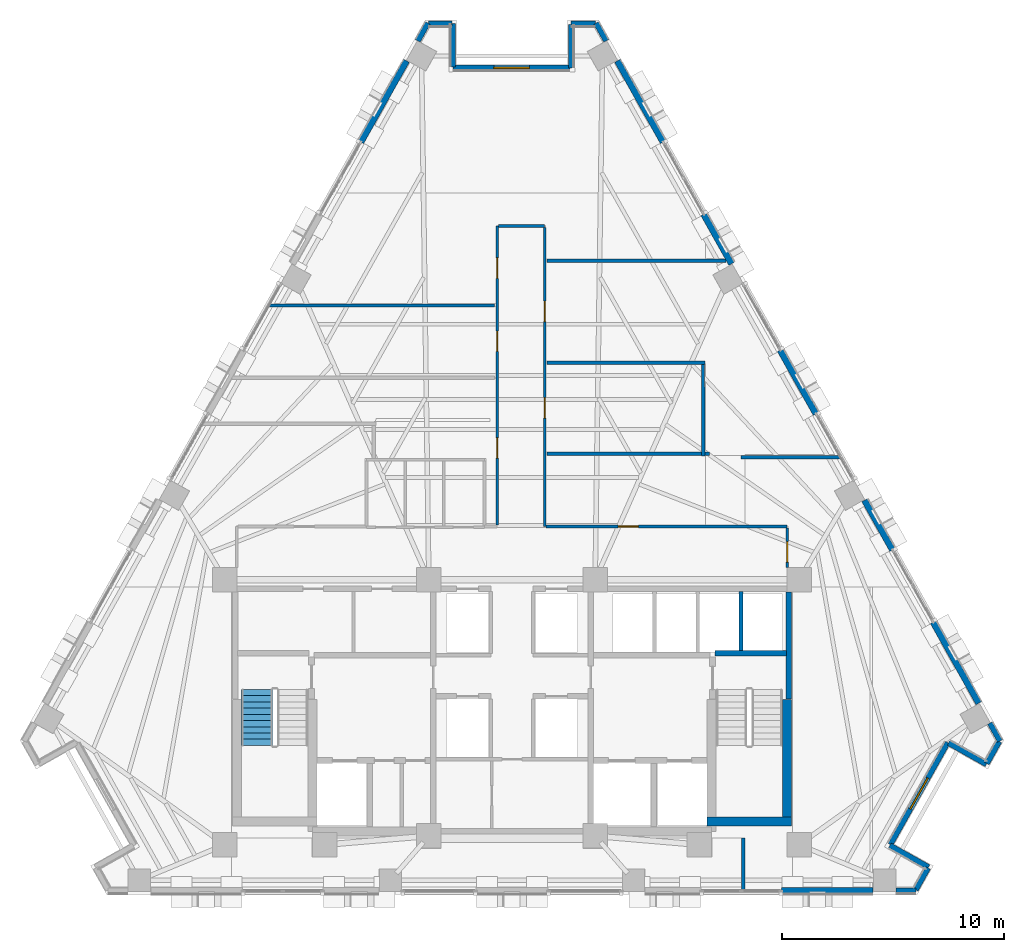
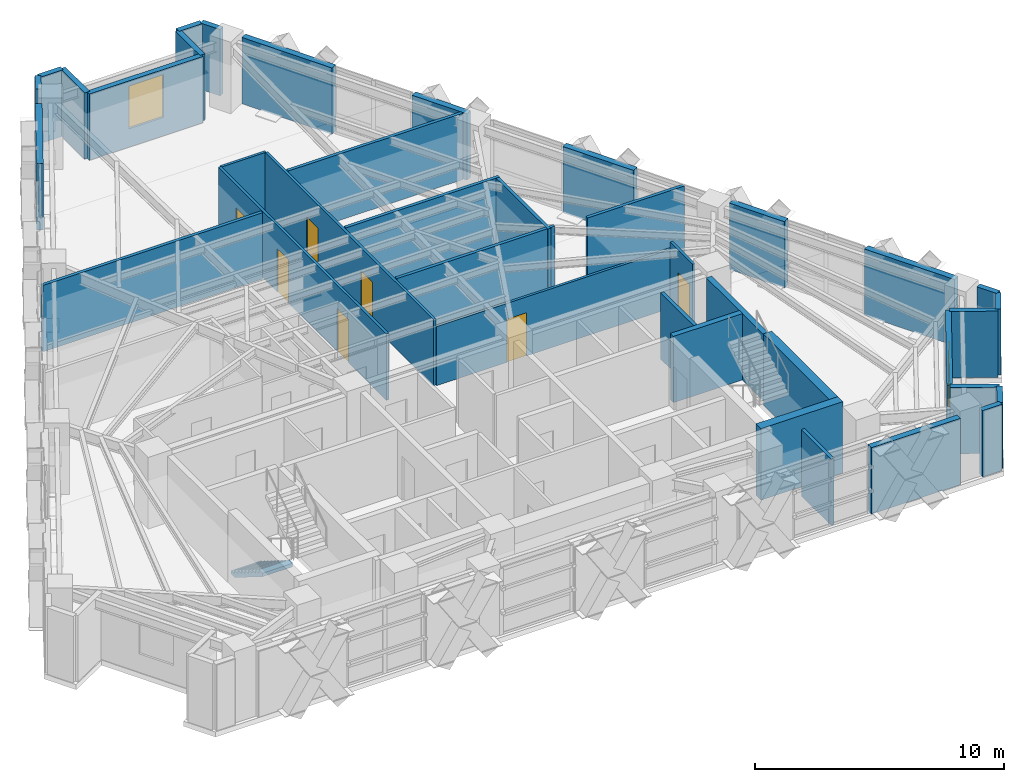
# One storey, part 9 of 14: 39 walls, 7 doors, 2 windows, 1 stair flight, 9 openings, 1 element without a shape of its own.
"""IFC4 building model written with IfcOpenShell, lengths in metres."""

from ifc_helpers import new_model, si_unit, direction, frame, frame_2d, origin, place, context, subcontext, project, spatial, polyline, rectangle, outline, extrude, material, layer, layer_set, type_object, element, fill, aggregate, save


model = new_model("IFC4")

# Units and contexts
model_context = context("Model", 3, precision=1e-05, world=origin(), true_north=direction((0.0, 1.0)))
body_context = subcontext(model_context, "Body", "Model", "MODEL_VIEW")
ifc_project = project(units=[si_unit("LENGTHUNIT", "METRE"), si_unit("AREAUNIT", "SQUARE_METRE"), si_unit("VOLUMEUNIT", "CUBIC_METRE"), si_unit("PLANEANGLEUNIT", "RADIAN"), si_unit("MASSUNIT", "GRAM", prefix="KILO")], contexts=[model_context])

# Site, building, storey
site_placement = place(None, origin())
site = spatial("IfcSite", under=ifc_project, at=site_placement, CompositionType="ELEMENT")
building_placement = place(site_placement, origin())
building = spatial("IfcBuilding", under=site, at=building_placement, Name="Quenlor Broadcast Tower", CompositionType="ELEMENT")
storey_placement = place(building_placement, frame((0.0, 0.0, 133.5)))
storey = spatial("IfcBuildingStorey", under=building, at=storey_placement, Name="L36", CompositionType="ELEMENT", Elevation=133.5)

# Walls
ifc_material_1 = material(Name="Acoustic Double Stud Gypsum Partition", Category="other")
ifc_layer_1 = layer(ifc_material_1, 0.14990234375)
ifc_layer_set_1 = layer_set([ifc_layer_1], Name="Broadcast Studio Acoustic Partition 150")
wall_type_1 = type_object("IfcWallType", Name="Broadcast Studio Acoustic Partition 150", PredefinedType="PARTITIONING", material=ifc_layer_set_1)
wall_1_placement = place(storey_placement, frame((-0.780029296875, 7.56787109375, 0.0), z_axis=(0.0, 0.0, 1.0), x_axis=(-1.0, 0.0, 0.0)))
element("IfcWall", 1, at=wall_1_placement, inside=storey, type_object=wall_type_1, Name="L36 Interior Wall PW-DV-01", PredefinedType="PARTITIONING", context=body_context, shape_type="SweptSolid", body=[
    extrude(rectangle(XDim=10.1806640625, YDim=0.14990234375, at=frame_2d((5.09033203125, 0.0))), origin(), (0.0, 0.0, 1.0), 3.25),
])
wall_2_placement = place(storey_placement, frame((9.66015625, 9.580078125, 0.0), z_axis=(0.0, 0.0, 1.0), x_axis=(-1.0, 0.0, 0.0)))
element("IfcWall", 2, at=wall_2_placement, inside=storey, type_object=wall_type_1, Name="L36 Interior Wall PW-DV-02", PredefinedType="PARTITIONING", context=body_context, shape_type="SweptSolid", body=[
    extrude(rectangle(XDim=8.080078125, YDim=0.14990234375, at=frame_2d((4.0400390625, 0.0))), origin(), (0.0, 0.0, 1.0), 3.25),
])
wall_3_placement = place(storey_placement, frame((8.713623046875, 4.97998046875, 0.0), z_axis=(0.0, 0.0, 1.0), x_axis=(-1.0, 0.0, 0.0)))
element("IfcWall", 3, at=wall_3_placement, inside=storey, type_object=wall_type_1, Name="L36 Interior Wall PW-DV-04", PredefinedType="PARTITIONING", context=body_context, shape_type="SweptSolid", body=[
    extrude(rectangle(XDim=7.133544921875, YDim=0.14990234375, at=frame_2d((3.56689453125, 0.0))), origin(), (0.0, 0.0, 1.0), 3.25),
])
wall_4_placement = place(storey_placement, frame((8.624755859375, 0.780029296875, 0.0), z_axis=(0.0, 0.0, 1.0), x_axis=(-0.002664604467, 0.999996449935, 0.0)))
element("IfcWall", 4, at=wall_4_placement, inside=storey, type_object=wall_type_1, Name="L36 Interior Wall PW-DV-05", PredefinedType="PARTITIONING", context=body_context, shape_type="SweptSolid", body=[
    extrude(rectangle(XDim=4.123046875, YDim=0.14990234375, at=frame_2d((2.0615234375, 0.0))), origin(), (0.0, 0.0, 1.0), 3.25),
])
wall_5_placement = place(storey_placement, frame((14.806884765625, 0.72998046875, 0.0), z_axis=(0.0, 0.0, 1.0), x_axis=(-1.0, 0.0, 0.0)))
element("IfcWall", 5, at=wall_5_placement, inside=storey, type_object=wall_type_1, Name="L36 Interior Wall PW-DV-06", PredefinedType="PARTITIONING", context=body_context, shape_type="SweptSolid", body=[
    extrude(rectangle(XDim=4.481689453125, YDim=0.14990234375, at=frame_2d((2.24072265625, 0.0))), origin(), (0.0, 0.0, 1.0), 3.25),
])
wall_6_placement = place(storey_placement, frame((8.89990234375, 0.8798828125, 0.0), z_axis=(0.0, 0.0, 1.0), x_axis=(-1.0, 0.0, 0.0)))
element("IfcWall", 6, at=wall_6_placement, inside=storey, type_object=wall_type_1, Name="L36 Interior Wall PW-DV-07", PredefinedType="PARTITIONING", context=body_context, shape_type="SweptSolid", body=[
    extrude(rectangle(XDim=0.198486328125, YDim=0.14990234375, at=frame_2d((0.09912109375, 0.0))), origin(), (0.0, 0.0, 1.0), 3.25),
])
wall_7_placement = place(storey_placement, frame((8.547607421875, 0.8798828125, 0.0), z_axis=(0.0, 0.0, 1.0), x_axis=(-1.0, 0.0, 0.0)))
element("IfcWall", 7, at=wall_7_placement, inside=storey, type_object=wall_type_1, Name="L36 Interior Wall PW-DV-07S2", PredefinedType="PARTITIONING", context=body_context, shape_type="SweptSolid", body=[
    extrude(rectangle(XDim=6.967529296875, YDim=0.14990234375, at=frame_2d((3.48388671875, 0.0))), origin(), (0.0, 0.0, 1.0), 3.25),
])
wall_8_placement = place(storey_placement, frame((10.42529296875, -18.830078125, 0.0), z_axis=(0.0, 0.0, 1.0), x_axis=(0.0, 1.0, 0.0)))
element("IfcWall", 8, at=wall_8_placement, inside=storey, type_object=wall_type_1, Name="L36 Interior Wall PW-DV-10", PredefinedType="PARTITIONING", context=body_context, shape_type="SweptSolid", body=[
    extrude(rectangle(XDim=2.380126953125, YDim=0.14990234375, at=frame_2d((1.18994140625, 0.0))), origin(), (0.0, 0.0, 1.0), 3.25),
])
ifc_material_2 = material(Name="Concrete C50/60", Category="concrete")
ifc_layer_2 = layer(ifc_material_2, 0.39990234375)
ifc_layer_set_2 = layer_set([ifc_layer_2], Name="Core Concrete C50/60 Shear Wall 400")
wall_type_2 = type_object("IfcWallType", Name="Core Concrete C50/60 Shear Wall 400", PredefinedType="SHEAR", material=ifc_layer_set_2)
wall_9_placement = place(storey_placement, frame((8.800048828125, -15.699951171875, 0.0), z_axis=(0.0, 0.0, 1.0), x_axis=(1.0, 0.0, 0.0)))
element("IfcWall", 9, at=wall_9_placement, inside=storey, type_object=wall_type_2, Name="L36 Core Shear Wall WS-E2", PredefinedType="SHEAR", context=body_context, shape_type="SweptSolid", body=[
    extrude(rectangle(XDim=3.800048828125, YDim=0.39990234375, at=frame_2d((1.89990234375, 0.0))), origin(), (0.0, 0.0, 1.0), 3.5),
])
wall_10_placement = place(storey_placement, frame((12.39990234375, -15.699951171875, 0.0), z_axis=(0.0, 0.0, 1.0), x_axis=(0.0, 1.0, 0.0)))
element("IfcWall", 10, at=wall_10_placement, inside=storey, type_object=wall_type_2, Name="L36 Core Shear Wall WF-E", PredefinedType="SHEAR", context=body_context, shape_type="SweptSolid", body=[
    extrude(rectangle(XDim=5.5, YDim=0.39990234375, at=frame_2d((2.75, 0.0))), origin(), (0.0, 0.0, 1.0), 3.5),
])
ifc_material_3 = material(Name="Concrete C40/50", Category="concrete")
ifc_layer_3 = layer(ifc_material_3, 0.25)
ifc_layer_set_3 = layer_set([ifc_layer_3], Name="Fire Rated Concrete C40/50 Core Wall 250")
wall_type_3 = type_object("IfcWallType", Name="Fire Rated Concrete C40/50 Core Wall 250", PredefinedType="PARTITIONING", material=ifc_layer_set_3)
wall_11_placement = place(storey_placement, frame((9.159912109375, -8.1201171875, 0.0), z_axis=(0.0, 0.0, 1.0), x_axis=(1.0, 0.0, 0.0)))
element("IfcWall", 11, at=wall_11_placement, inside=storey, type_object=wall_type_3, Name="L36 Interior Wall CW-ST2-N", PredefinedType="PARTITIONING", context=body_context, shape_type="SweptSolid", body=[
    extrude(rectangle(XDim=3.219970703125, YDim=0.25, at=frame_2d((1.60986328125, 0.0))), origin(), (0.0, 0.0, 1.0), 3.25),
])
wall_12_placement = place(storey_placement, frame((12.47998046875, -10.179931640625, 0.0), z_axis=(0.0, 0.0, 1.0), x_axis=(0.0, 1.0, 0.0)))
element("IfcWall", 12, at=wall_12_placement, inside=storey, type_object=wall_type_3, Name="L36 Interior Wall CW-ST2-E2", PredefinedType="PARTITIONING", context=body_context, shape_type="SweptSolid", body=[
    extrude(rectangle(XDim=4.827880859375, YDim=0.25, at=frame_2d((2.4140625, 0.0))), origin(), (0.0, 0.0, 1.0), 3.25),
])
ifc_material_4 = material(Name="Gypsum Fireboard Partition", Category="other")
ifc_layer_4 = layer(ifc_material_4, 0.159912109375)
ifc_layer_set_4 = layer_set([ifc_layer_4], Name="Fire Rated Shaft and Corridor Partition 160")
wall_type_4 = type_object("IfcWallType", Name="Fire Rated Shaft and Corridor Partition 160", PredefinedType="PARTITIONING", material=ifc_layer_set_4)
wall_13_placement = place(storey_placement, frame((10.324951171875, -7.992919921875, 0.0), z_axis=(0.0, 0.0, 1.0), x_axis=(0.0, 1.0, 0.0)))
element("IfcWall", 13, at=wall_13_placement, inside=storey, type_object=wall_type_4, Name="L36 Interior Wall CW-PLH-D3", PredefinedType="PARTITIONING", context=body_context, shape_type="SweptSolid", body=[
    extrude(rectangle(XDim=2.65283203125, YDim=0.159912109375, at=frame_2d((1.326416015625, 0.0))), origin(), (0.0, 0.0, 1.0), 3.25),
])

# Wall, openings, doors
ifc_material_5 = material(Name="Gypsum Plasterboard Partition", Category="other")
ifc_layer_5 = layer(ifc_material_5, 0.1201171875)
ifc_layer_set_5 = layer_set([ifc_layer_5], Name="Standard Office Partition 120")
wall_type_5 = type_object("IfcWallType", Name="Standard Office Partition 120", PredefinedType="PARTITIONING", material=ifc_layer_set_5)
wall_14_placement = place(storey_placement, frame((-0.669921875, -2.337890625, 0.0), z_axis=(0.0, 0.0, 1.0), x_axis=(0.0, 1.0, 0.0)))
wall_14 = element("IfcWall", 14, at=wall_14_placement, inside=storey, type_object=wall_type_5, Name="L36 Interior Wall PW-CR-03", PredefinedType="PARTITIONING", context=body_context, shape_type="SweptSolid", body=[
    extrude(rectangle(XDim=13.48779296875, YDim=0.1201171875, at=frame_2d((6.743896484375, 0.0))), origin(), (0.0, 0.0, 1.0), 3.25),
])
opening_1_placement = place(wall_14_placement, frame((11.1279296875, 0.0, 0.0)))
opening_1 = element("IfcOpeningElement", 15, at=opening_1_placement, cuts=wall_14, Name="Opening ID-1", PredefinedType="OPENING", context=body_context, shape_type="SweptSolid", body=[
    extrude(rectangle(XDim=0.919921875, YDim=2.1201171875, at=frame_2d((0.4599609375, 1.06005859375))), frame((0.0, 0.070068359375, 0.0), z_axis=(0.0, -1.0, 0.0), x_axis=(1.0, 0.0, 0.0)), (0.0, 0.0, 1.0), 0.14013671875),
])
opening_2_placement = place(wall_14_placement, frame((7.833984375, 0.0, 0.0)))
opening_2 = element("IfcOpeningElement", 16, at=opening_2_placement, cuts=wall_14, Name="Opening ID-1", PredefinedType="OPENING", context=body_context, shape_type="SweptSolid", body=[
    extrude(rectangle(XDim=0.919921875, YDim=2.1201171875, at=frame_2d((0.4599609375, 1.06005859375))), frame((0.0, 0.070068359375, 0.0), z_axis=(0.0, -1.0, 0.0), x_axis=(1.0, 0.0, 0.0)), (0.0, 0.0, 1.0), 0.14013671875),
])
opening_3_placement = place(wall_14_placement, frame((3.02001953125, 0.0, 0.0)))
opening_3 = element("IfcOpeningElement", 17, at=opening_3_placement, cuts=wall_14, Name="Opening ID-1", PredefinedType="OPENING", context=body_context, shape_type="SweptSolid", body=[
    extrude(rectangle(XDim=0.919921875, YDim=2.1201171875, at=frame_2d((0.4599609375, 1.06005859375))), frame((0.0, 0.070068359375, 0.0), z_axis=(0.0, -1.0, 0.0), x_axis=(1.0, 0.0, 0.0)), (0.0, 0.0, 1.0), 0.14013671875),
])
ifc_material_6 = material(Name="Solid Core Timber Oak", Category="wood")
door_type = type_object("IfcDoorType", Name="Single Leaf Timber Office Door 920x2120", OperationType="NOTDEFINED", PredefinedType="DOOR", material=ifc_material_6)
door_1_placement = place(opening_1_placement, origin())
door_1 = element("IfcDoor", 18, at=door_1_placement, inside=storey, type_object=door_type, Name="L36 Door DR-RM01", OperationType="SINGLE_SWING_LEFT", OverallHeight=2.1201171875, OverallWidth=0.919921875, PredefinedType="DOOR", context=body_context, shape_type="SweptSolid", body=[
    extrude(rectangle(XDim=0.919921875, YDim=2.1201171875, at=frame_2d((0.4599609375, 1.06005859375))), frame((0.0, 0.02490234375, 0.0), z_axis=(0.0, -1.0, 0.0), x_axis=(1.0, 0.0, 0.0)), (0.0, 0.0, 1.0), 0.050048828125),
])
fill(opening_1, door_1)
door_2_placement = place(opening_2_placement, origin())
door_2 = element("IfcDoor", 19, at=door_2_placement, inside=storey, type_object=door_type, Name="L36 Door DR-RM02", OperationType="SINGLE_SWING_RIGHT", OverallHeight=2.1201171875, OverallWidth=0.919921875, PredefinedType="DOOR", context=body_context, shape_type="SweptSolid", body=[
    extrude(rectangle(XDim=0.919921875, YDim=2.1201171875, at=frame_2d((0.4599609375, 1.06005859375))), frame((0.0, 0.02490234375, 0.0), z_axis=(0.0, -1.0, 0.0), x_axis=(1.0, 0.0, 0.0)), (0.0, 0.0, 1.0), 0.050048828125),
])
fill(opening_2, door_2)
door_3_placement = place(opening_3_placement, origin())
door_3 = element("IfcDoor", 20, at=door_3_placement, inside=storey, type_object=door_type, Name="L36 Door DR-RM05", OperationType="SINGLE_SWING_RIGHT", OverallHeight=2.1201171875, OverallWidth=0.919921875, PredefinedType="DOOR", context=body_context, shape_type="SweptSolid", body=[
    extrude(rectangle(XDim=0.919921875, YDim=2.1201171875, at=frame_2d((0.4599609375, 1.06005859375))), frame((0.0, 0.02490234375, 0.0), z_axis=(0.0, -1.0, 0.0), x_axis=(1.0, 0.0, 0.0)), (0.0, 0.0, 1.0), 0.050048828125),
])
fill(opening_3, door_3)

# Wall
wall_15_placement = place(storey_placement, frame((-0.60791015625, 11.14990234375, 0.0), z_axis=(0.0, 0.0, 1.0), x_axis=(1.0, 0.0, 0.0)))
element("IfcWall", 21, at=wall_15_placement, inside=storey, type_object=wall_type_5, Name="L36 Interior Wall PW-CR-04", PredefinedType="PARTITIONING", context=body_context, shape_type="SweptSolid", body=[
    extrude(rectangle(XDim=2.077880859375, YDim=0.1201171875, at=frame_2d((1.0390625, 0.0))), origin(), (0.0, 0.0, 1.0), 3.25),
])

# Wall, openings, doors
wall_16_placement = place(storey_placement, frame((1.469970703125, 11.087890625, 0.0), z_axis=(0.0, 0.0, 1.0), x_axis=(0.0, -1.0, 0.0)))
wall_16 = element("IfcWall", 22, at=wall_16_placement, inside=storey, type_object=wall_type_5, Name="L36 Interior Wall PW-CR-05", PredefinedType="PARTITIONING", context=body_context, shape_type="SweptSolid", body=[
    extrude(rectangle(XDim=13.48779296875, YDim=0.1201171875, at=frame_2d((6.743896484375, 0.0))), origin(), (0.0, 0.0, 1.0), 3.25),
])
opening_4_placement = place(wall_16_placement, frame((3.327880859375, 0.0, 0.0)))
opening_4 = element("IfcOpeningElement", 23, at=opening_4_placement, cuts=wall_16, Name="Opening ID-1", PredefinedType="OPENING", context=body_context, shape_type="SweptSolid", body=[
    extrude(rectangle(XDim=0.919921875, YDim=2.1201171875, at=frame_2d((0.4599609375, 1.06005859375))), frame((0.0, 0.070068359375, 0.0), z_axis=(0.0, -1.0, 0.0), x_axis=(1.0, 0.0, 0.0)), (0.0, 0.0, 1.0), 0.14013671875),
])
opening_5_placement = place(wall_16_placement, frame((7.677978515625, 0.0, 0.0)))
opening_5 = element("IfcOpeningElement", 24, at=opening_5_placement, cuts=wall_16, Name="Opening ID-1", PredefinedType="OPENING", context=body_context, shape_type="SweptSolid", body=[
    extrude(rectangle(XDim=0.919921875, YDim=2.1201171875, at=frame_2d((0.4599609375, 1.06005859375))), frame((0.0, 0.070068359375, 0.0), z_axis=(0.0, -1.0, 0.0), x_axis=(1.0, 0.0, 0.0)), (0.0, 0.0, 1.0), 0.14013671875),
])
door_4_placement = place(opening_4_placement, origin())
door_4 = element("IfcDoor", 25, at=door_4_placement, inside=storey, type_object=door_type, Name="L36 Door DR-RM03", OperationType="SINGLE_SWING_LEFT", OverallHeight=2.1201171875, OverallWidth=0.919921875, PredefinedType="DOOR", context=body_context, shape_type="SweptSolid", body=[
    extrude(rectangle(XDim=0.919921875, YDim=2.1201171875, at=frame_2d((0.4599609375, 1.06005859375))), frame((0.0, 0.02490234375, 0.0), z_axis=(0.0, -1.0, 0.0), x_axis=(1.0, 0.0, 0.0)), (0.0, 0.0, 1.0), 0.050048828125),
])
fill(opening_4, door_4)
door_5_placement = place(opening_5_placement, origin())
door_5 = element("IfcDoor", 26, at=door_5_placement, inside=storey, type_object=door_type, Name="L36 Door DR-RM04", OperationType="SINGLE_SWING_RIGHT", OverallHeight=2.1201171875, OverallWidth=0.919921875, PredefinedType="DOOR", context=body_context, shape_type="SweptSolid", body=[
    extrude(rectangle(XDim=0.919921875, YDim=2.1201171875, at=frame_2d((0.4599609375, 1.06005859375))), frame((0.0, 0.02490234375, 0.0), z_axis=(0.0, -1.0, 0.0), x_axis=(1.0, 0.0, 0.0)), (0.0, 0.0, 1.0), 0.050048828125),
])
fill(opening_5, door_5)

# Wall, opening, door
wall_17_placement = place(storey_placement, frame((1.531982421875, -2.39990234375, 0.0), z_axis=(0.0, 0.0, 1.0), x_axis=(1.0, 0.0, 0.0)))
wall_17 = element("IfcWall", 27, at=wall_17_placement, inside=storey, type_object=wall_type_5, Name="L36 Interior Wall PW-CR-06", PredefinedType="PARTITIONING", context=body_context, shape_type="SweptSolid", body=[
    extrude(rectangle(XDim=10.8779296875, YDim=0.1201171875, at=frame_2d((5.43896484375, 0.0))), origin(), (0.0, 0.0, 1.0), 2.891357421875),
])
opening_6_placement = place(wall_17_placement, frame((3.251953125, 0.0, 0.0)))
opening_6 = element("IfcOpeningElement", 28, at=opening_6_placement, cuts=wall_17, Name="Opening ID-1", PredefinedType="OPENING", context=body_context, shape_type="SweptSolid", body=[
    extrude(rectangle(XDim=0.919921875, YDim=2.1201171875, at=frame_2d((0.4599609375, 1.06005859375))), frame((0.0, 0.070068359375, 0.0), z_axis=(0.0, -1.0, 0.0), x_axis=(1.0, 0.0, 0.0)), (0.0, 0.0, 1.0), 0.14013671875),
])
door_6_placement = place(opening_6_placement, origin())
door_6 = element("IfcDoor", 29, at=door_6_placement, inside=storey, type_object=door_type, Name="L36 Door DR-RM06", OperationType="SINGLE_SWING_RIGHT", OverallHeight=2.1201171875, OverallWidth=0.919921875, PredefinedType="DOOR", context=body_context, shape_type="SweptSolid", body=[
    extrude(rectangle(XDim=0.919921875, YDim=2.1201171875, at=frame_2d((0.4599609375, 1.06005859375))), frame((0.0, 0.02490234375, 0.0), z_axis=(0.0, -1.0, 0.0), x_axis=(1.0, 0.0, 0.0)), (0.0, 0.0, 1.0), 0.050048828125),
])
fill(opening_6, door_6)

wall_18_placement = place(storey_placement, frame((12.409912109375, -2.4619140625, 0.0), z_axis=(0.0, 0.0, 1.0), x_axis=(0.0, -1.0, 0.0)))
wall_18 = element("IfcWall", 30, at=wall_18_placement, inside=storey, type_object=wall_type_5, Name="L36 Interior Wall PW-CR-07", PredefinedType="PARTITIONING", context=body_context, shape_type="SweptSolid", body=[
    extrude(rectangle(XDim=1.7861328125, YDim=0.1201171875, at=frame_2d((0.89306640625, 0.0))), origin(), (0.0, 0.0, 1.0), 3.25),
])
opening_7_placement = place(wall_18_placement, frame((0.623046875, 0.0, 0.0)))
opening_7 = element("IfcOpeningElement", 31, at=opening_7_placement, cuts=wall_18, Name="Opening ID-1", PredefinedType="OPENING", context=body_context, shape_type="SweptSolid", body=[
    extrude(rectangle(XDim=0.919921875, YDim=2.1201171875, at=frame_2d((0.4599609375, 1.06005859375))), frame((0.0, 0.070068359375, 0.0), z_axis=(0.0, -1.0, 0.0), x_axis=(1.0, 0.0, 0.0)), (0.0, 0.0, 1.0), 0.14013671875),
])
door_7_placement = place(opening_7_placement, origin())
door_7 = element("IfcDoor", 32, at=door_7_placement, inside=storey, type_object=door_type, Name="L36 Door DR-RM07", OperationType="SINGLE_SWING_LEFT", OverallHeight=2.1201171875, OverallWidth=0.919921875, PredefinedType="DOOR", context=body_context, shape_type="SweptSolid", body=[
    extrude(rectangle(XDim=0.919921875, YDim=2.1201171875, at=frame_2d((0.4599609375, 1.06005859375))), frame((0.0, 0.02490234375, 0.0), z_axis=(0.0, -1.0, 0.0), x_axis=(1.0, 0.0, 0.0)), (0.0, 0.0, 1.0), 0.050048828125),
])
fill(opening_7, door_7)

# Walls
ifc_material_7 = material(Name="Precast concrete C40/50", Category="concrete")
ifc_layer_6 = layer(ifc_material_7, 0.239990234375)
ifc_layer_set_6 = layer_set([ifc_layer_6], Name="Terrace Threshold Precast Concrete C40/50 Wall 240")
wall_type_6 = type_object("IfcWallType", Name="Terrace Threshold Precast Concrete C40/50 Wall 240", PredefinedType="STANDARD", material=ifc_layer_set_6)
wall_19_placement = place(storey_placement, frame((18.2099609375, -18.824951171875, 0.0), z_axis=(0.0, 0.0, 1.0), x_axis=(-1.0, 0.0, 0.0)))
element("IfcWall", 33, at=wall_19_placement, inside=storey, type_object=wall_type_6, Name="L36 Exterior Wall L36-SHD-SS0", PredefinedType="STANDARD", context=body_context, shape_type="SweptSolid", body=[
    extrude(rectangle(XDim=0.896484375, YDim=0.239990234375, at=frame_2d((0.4482421875, 0.0))), origin(), (0.0, 0.0, 1.0), 3.25),
])
wall_20_placement = place(storey_placement, frame((3.7919921875, 20.302001953125, 0.0), z_axis=(0.0, 0.0, 1.0), x_axis=(0.490048346303, -0.871695255399, 0.0)))
element("IfcWall", 34, at=wall_20_placement, inside=storey, type_object=wall_type_6, Name="L36 Exterior Wall L36-SHD-NES0", PredefinedType="STANDARD", context=body_context, shape_type="SweptSolid", body=[
    extrude(rectangle(XDim=0.925537109375, YDim=0.239990234375, at=frame_2d((0.462890625, 0.0))), origin(), (0.0, 0.0, 1.0), 3.25),
])
wall_21_placement = place(storey_placement, frame((21.54931640625, -11.2666015625, 0.0), z_axis=(0.0, 0.0, 1.0), x_axis=(0.490248718924, -0.871582579905, 0.0)))
element("IfcWall", 35, at=wall_21_placement, inside=storey, type_object=wall_type_6, Name="L36 Exterior Wall L36-SHD-NES1", PredefinedType="STANDARD", context=body_context, shape_type="SweptSolid", body=[
    extrude(rectangle(XDim=0.92578125, YDim=0.239990234375, at=frame_2d((0.462890625, 0.0))), origin(), (0.0, 0.0, 1.0), 3.25),
])
wall_22_placement = place(storey_placement, frame((-4.24560546875, 19.4951171875, 0.0), z_axis=(0.0, 0.0, 1.0), x_axis=(0.490048346303, 0.871695255399, 0.0)))
element("IfcWall", 36, at=wall_22_placement, inside=storey, type_object=wall_type_6, Name="L36 Exterior Wall L36-SHD-NWS1", PredefinedType="STANDARD", context=body_context, shape_type="SweptSolid", body=[
    extrude(rectangle(XDim=0.925537109375, YDim=0.239990234375, at=frame_2d((0.462890625, 0.0))), origin(), (0.0, 0.0, 1.0), 3.25),
])
wall_23_placement = place(storey_placement, frame((18.783935546875, -17.760009765625, 0.0), z_axis=(0.0, 0.0, 1.0), x_axis=(-0.871536415941, 0.49033078191, 0.0)))
element("IfcWall", 37, at=wall_23_placement, inside=storey, type_object=wall_type_6, Name="L36 Exterior Wall L36-CNR-01", PredefinedType="STANDARD", context=body_context, shape_type="SweptSolid", body=[
    extrude(rectangle(XDim=2.0, YDim=0.239990234375, at=frame_2d((1.0, 0.0))), origin(), (0.0, 0.0, 1.0), 3.25),
])

# Wall, opening, window
wall_24_placement = place(storey_placement, frame((17.060302734375, -16.744384765625, 0.0), z_axis=(0.0, 0.0, 1.0), x_axis=(0.490276606961, 0.871566892824, 0.0)))
wall_24 = element("IfcWall", 38, at=wall_24_placement, inside=storey, type_object=wall_type_6, Name="L36 Exterior Wall L36-CNR-02", PredefinedType="STANDARD", context=body_context, shape_type="SweptSolid", body=[
    extrude(rectangle(XDim=5.280029296875, YDim=0.239990234375, at=frame_2d((2.64013671875, 0.0))), origin(), (0.0, 0.0, 1.0), 3.25),
])
opening_8_placement = place(wall_24_placement, frame((1.840087890625, 0.0, 0.89990234375)))
opening_8 = element("IfcOpeningElement", 39, at=opening_8_placement, cuts=wall_24, Name="Opening WN-2", PredefinedType="OPENING", context=body_context, shape_type="SweptSolid", body=[
    extrude(rectangle(XDim=1.60009765625, YDim=2.10009765625, at=frame_2d((0.800048828125, 1.050048828125))), frame((0.0, 0.1298828125, 0.0), z_axis=(0.0, -1.0, 0.0), x_axis=(1.0, 0.0, 0.0)), (0.0, 0.0, 1.0), 0.260009765625),
])
ifc_material_8 = material(Name="Thermally Broken Aluminium and Low-E Glass", Category="aluminium")
window_type = type_object("IfcWindowType", Name="Tower Studio Punched Window 1600x2100", PartitioningType="SINGLE_PANEL", PredefinedType="WINDOW", material=ifc_material_8)
window_1_placement = place(opening_8_placement, origin())
window_1 = element("IfcWindow", 40, at=window_1_placement, inside=storey, type_object=window_type, Name="L36 Corner Chamfer Window 2", OverallHeight=2.10009765625, OverallWidth=1.60009765625, PartitioningType="SINGLE_PANEL", PredefinedType="WINDOW", context=body_context, shape_type="SweptSolid", body=[
    extrude(rectangle(XDim=1.60009765625, YDim=2.10009765625, at=frame_2d((0.800048828125, 1.050048828125))), frame((0.0, 0.030029296875, 0.0), z_axis=(0.0, -1.0, 0.0), x_axis=(1.0, 0.0, 0.0)), (0.0, 0.0, 1.0), 0.06005859375),
])
fill(opening_8, window_1)

# Walls
wall_25_placement = place(storey_placement, frame((19.683837890625, -12.162109375, 0.0), z_axis=(0.0, 0.0, 1.0), x_axis=(0.871512328312, -0.490373593906, 0.0)))
element("IfcWall", 41, at=wall_25_placement, inside=storey, type_object=wall_type_6, Name="L36 Exterior Wall L36-CNR-03", PredefinedType="STANDARD", context=body_context, shape_type="SweptSolid", body=[
    extrude(rectangle(XDim=1.960205078125, YDim=0.239990234375, at=frame_2d((0.97998046875, 0.0))), origin(), (0.0, 0.0, 1.0), 3.25),
])
wall_26_placement = place(storey_placement, frame((21.411865234375, -13.08837890625, 0.0), z_axis=(0.0, 0.0, 1.0), x_axis=(0.4900989379, 0.871666811958, 0.0)))
element("IfcWall", 42, at=wall_26_placement, inside=storey, type_object=wall_type_6, Name="L36 Exterior Wall L36-CNR-04", PredefinedType="STANDARD", context=body_context, shape_type="SweptSolid", body=[
    extrude(rectangle(XDim=1.142822265625, YDim=0.239990234375, at=frame_2d((0.5712890625, 0.0))), origin(), (0.0, 0.0, 1.0), 3.25),
])
wall_27_placement = place(storey_placement, frame((3.761474609375, 20.280029296875, 0.0), z_axis=(0.0, 0.0, 1.0), x_axis=(-1.0, 0.0, 0.0)))
element("IfcWall", 43, at=wall_27_placement, inside=storey, type_object=wall_type_6, Name="L36 Exterior Wall L36-CNR-06", PredefinedType="STANDARD", context=body_context, shape_type="SweptSolid", body=[
    extrude(rectangle(XDim=1.1015625, YDim=0.239990234375, at=frame_2d((0.55078125, 0.0))), origin(), (0.0, 0.0, 1.0), 3.25),
])
wall_28_placement = place(storey_placement, frame((2.659912109375, 20.239990234375, 0.0), z_axis=(0.0, 0.0, 1.0), x_axis=(0.0, -1.0, 0.0)))
element("IfcWall", 44, at=wall_28_placement, inside=storey, type_object=wall_type_6, Name="L36 Exterior Wall L36-CNR-07", PredefinedType="STANDARD", context=body_context, shape_type="SweptSolid", body=[
    extrude(rectangle(XDim=1.9599609375, YDim=0.239990234375, at=frame_2d((0.97998046875, 0.0))), origin(), (0.0, 0.0, 1.0), 3.25),
])

# Wall, opening, window
wall_29_placement = place(storey_placement, frame((2.6201171875, 18.280029296875, 0.0), z_axis=(0.0, 0.0, 1.0), x_axis=(-1.0, 0.0, 0.0)))
wall_29 = element("IfcWall", 45, at=wall_29_placement, inside=storey, type_object=wall_type_6, Name="L36 Exterior Wall L36-CNR-08", PredefinedType="STANDARD", context=body_context, shape_type="SweptSolid", body=[
    extrude(rectangle(XDim=5.280029296875, YDim=0.239990234375, at=frame_2d((2.64013671875, 0.0))), origin(), (0.0, 0.0, 1.0), 3.25),
])
opening_9_placement = place(wall_29_placement, frame((1.840087890625, 0.0, 0.89990234375)))
opening_9 = element("IfcOpeningElement", 46, at=opening_9_placement, cuts=wall_29, Name="Opening WN-2", PredefinedType="OPENING", context=body_context, shape_type="SweptSolid", body=[
    extrude(rectangle(XDim=1.60009765625, YDim=2.10009765625, at=frame_2d((0.800048828125, 1.050048828125))), frame((0.0, 0.1298828125, 0.0), z_axis=(0.0, -1.0, 0.0), x_axis=(1.0, 0.0, 0.0)), (0.0, 0.0, 1.0), 0.260009765625),
])
window_2_placement = place(opening_9_placement, origin())
window_2 = element("IfcWindow", 47, at=window_2_placement, inside=storey, type_object=window_type, Name="L36 Corner Chamfer Window 8", OverallHeight=2.10009765625, OverallWidth=1.60009765625, PartitioningType="SINGLE_PANEL", PredefinedType="WINDOW", context=body_context, shape_type="SweptSolid", body=[
    extrude(rectangle(XDim=1.60009765625, YDim=2.10009765625, at=frame_2d((0.800048828125, 1.050048828125))), frame((0.0, 0.030029296875, 0.0), z_axis=(0.0, -1.0, 0.0), x_axis=(1.0, 0.0, 0.0)), (0.0, 0.0, 1.0), 0.06005859375),
])
fill(opening_9, window_2)

# Walls
wall_30_placement = place(storey_placement, frame((-2.659912109375, 18.320068359375, 0.0), z_axis=(0.0, 0.0, 1.0), x_axis=(0.0, 1.0, 0.0)))
element("IfcWall", 48, at=wall_30_placement, inside=storey, type_object=wall_type_6, Name="L36 Exterior Wall L36-CNR-09", PredefinedType="STANDARD", context=body_context, shape_type="SweptSolid", body=[
    extrude(rectangle(XDim=1.9599609375, YDim=0.239990234375, at=frame_2d((0.97998046875, 0.0))), origin(), (0.0, 0.0, 1.0), 3.25),
])
wall_31_placement = place(storey_placement, frame((-2.699951171875, 20.280029296875, 0.0), z_axis=(0.0, 0.0, 1.0), x_axis=(-1.0, 0.0, 0.0)))
element("IfcWall", 49, at=wall_31_placement, inside=storey, type_object=wall_type_6, Name="L36 Exterior Wall L36-CNR-10", PredefinedType="STANDARD", context=body_context, shape_type="SweptSolid", body=[
    extrude(rectangle(XDim=1.0615234375, YDim=0.239990234375, at=frame_2d((0.53076171875, 0.0))), origin(), (0.0, 0.0, 1.0), 3.25),
])
wall_32_placement = place(storey_placement, frame((18.205810546875, -18.78759765625, 0.0), z_axis=(0.0, 0.0, 1.0), x_axis=(0.490403700594, 0.871495387506, 0.0)))
element("IfcWall", 50, at=wall_32_placement, inside=storey, type_object=wall_type_6, Name="L36 Exterior Wall L36-CNR-18", PredefinedType="STANDARD", context=body_context, shape_type="SweptSolid", body=[
    extrude(rectangle(XDim=1.13916015625, YDim=0.239990234375, at=frame_2d((0.569580078125, 0.0))), origin(), (0.0, 0.0, 1.0), 3.25),
])
ifc_material_9 = material(Name="Precast concrete C40/50", Category="concrete")
ifc_layer_7 = layer(ifc_material_9, 0.280029296875)
ifc_layer_set_7 = layer_set([ifc_layer_7], Name="Terracotta Precast Concrete C40/50 Facade Wall 280")
wall_type_7 = type_object("IfcWallType", Name="Terracotta Precast Concrete C40/50 Facade Wall 280", PredefinedType="STANDARD", material=ifc_layer_set_7)
wall_33_placement = place(storey_placement, frame((16.283447265625, -18.824951171875, 0.0), z_axis=(0.0, 0.0, 1.0), x_axis=(-1.0, 0.0, 0.0)))
element("IfcWall", 51, at=wall_33_placement, inside=storey, type_object=wall_type_7, Name="L36 Exterior Wall L36-SA-SP1", PredefinedType="STANDARD", context=body_context, shape_type="SweptSolid", body=[
    extrude(rectangle(XDim=4.134521484375, YDim=0.280029296875, at=frame_2d((2.0673828125, 0.0))), origin(), (0.0, 0.0, 1.0), 3.25),
])
wall_34_placement = place(storey_placement, frame((4.750732421875, 18.597412109375, 0.0), z_axis=(0.0, 0.0, 1.0), x_axis=(0.490250201787, -0.871581745821, 0.0)))
element("IfcWall", 52, at=wall_34_placement, inside=storey, type_object=wall_type_7, Name="L36 Exterior Wall L36-NEA-SP1", PredefinedType="STANDARD", context=body_context, shape_type="SweptSolid", body=[
    extrude(rectangle(XDim=4.20068359375, YDim=0.280029296875, at=frame_2d((2.100341796875, 0.0))), origin(), (0.0, 0.0, 1.0), 3.25),
])
for number, where, z_axis, x_axis, name in (
    (53, (8.640625, 11.681884765625, 0.0), (0.0, 0.0, 1.0), (0.490301864627, -0.871552684319, 0.0), "L36 Exterior Wall L36-NEA-SP2"),
    (54, (15.8955078125, -1.21533203125, 0.0), (0.0, 0.0, 1.0), (0.490229640206, -0.871593311048, 0.0), "L36 Exterior Wall L36-NEC-SP1"),
):
    element("IfcWall", number, at=place(storey_placement, frame(where, z_axis=z_axis, x_axis=x_axis)), inside=storey, type_object=wall_type_7, Name=name, PredefinedType="STANDARD", context=body_context, shape_type="SweptSolid", body=[
        extrude(rectangle(XDim=2.56787109375, YDim=0.280029296875, at=frame_2d((1.283935546875, 0.0))), origin(), (0.0, 0.0, 1.0), 3.25),
    ])
wall_35_placement = place(storey_placement, frame((18.985107421875, -6.7080078125, 0.0), z_axis=(0.0, 0.0, 1.0), x_axis=(0.490230882965, -0.871592612054, 0.0)))
element("IfcWall", 55, at=wall_35_placement, inside=storey, type_object=wall_type_7, Name="L36 Exterior Wall L36-NEC-SP2", PredefinedType="STANDARD", context=body_context, shape_type="SweptSolid", body=[
    extrude(rectangle(XDim=4.2001953125, YDim=0.280029296875, at=frame_2d((2.10009765625, 0.0))), origin(), (0.0, 0.0, 1.0), 3.25),
])
wall_36_placement = place(storey_placement, frame((12.0888671875, 5.5517578125, 0.0), z_axis=(0.0, 0.0, 1.0), x_axis=(0.490285834707, -0.871561701938, 0.0)))
element("IfcWall", 56, at=wall_36_placement, inside=storey, type_object=wall_type_7, Name="L36 Exterior Wall L36-NE-SP1", PredefinedType="STANDARD", context=body_context, shape_type="SweptSolid", body=[
    extrude(rectangle(XDim=3.299072265625, YDim=0.280029296875, at=frame_2d((1.6494140625, 0.0))), origin(), (0.0, 0.0, 1.0), 3.25),
])
wall_37_placement = place(storey_placement, frame((-6.81005859375, 14.936279296875, 0.0), z_axis=(0.0, 0.0, 1.0), x_axis=(0.490250201787, 0.871581745821, 0.0)))
element("IfcWall", 57, at=wall_37_placement, inside=storey, type_object=wall_type_7, Name="L36 Exterior Wall L36-NWC-SP2", PredefinedType="STANDARD", context=body_context, shape_type="SweptSolid", body=[
    extrude(rectangle(XDim=4.20068359375, YDim=0.280029296875, at=frame_2d((2.100341796875, 0.0))), origin(), (0.0, 0.0, 1.0), 3.25),
])

# Stair, stair flight
ifc_material_10 = material(Name="Precast concrete C40/50", Category="concrete")
stair_type = type_object("IfcStairType", Name="Precast Concrete C40/50 Dogleg Stair H350", PredefinedType="HALF_TURN_STAIR", material=ifc_material_10)
stair_placement = place(storey_placement, origin())
stair = element("IfcStair", 58, at=stair_placement, inside=storey, type_object=stair_type, Name="L36 West Core Fire-Isolated Exit Stair ST-1", PredefinedType="HALF_TURN_STAIR")
ifc_material_11 = material(Name="Precast concrete C40/50", Category="concrete")
ifc_layer_8 = layer(ifc_material_11, 0.159912109375)
ifc_layer_set_8 = layer_set([ifc_layer_8], Name="Precast Concrete C40/50 Stair Flight H350")
stair_flight_type = type_object("IfcStairFlightType", Name="Precast Concrete C40/50 Stair Flight H350", PredefinedType="STRAIGHT", material=ifc_layer_set_8)
stair_flight_placement = place(storey_placement, frame((-11.5, -9.75, 0.0), z_axis=(0.0, 0.0, 1.0), x_axis=(0.0, -1.0, 0.0)))
stair_flight = element("IfcStairFlight", 59, at=stair_flight_placement, type_object=stair_flight_type, Name="ST-1 flight 1", NumberOfRisers=10, NumberOfTreads=9, PredefinedType="STRAIGHT", RiserHeight=0.175, TreadLength=0.28, context=body_context, shape_type="SweptSolid", body=[
    extrude(outline(polyline([(0.0, 0.0), (0.0, 0.175048828125), (0.280029296875, 0.175048828125), (0.280029296875, 0.35009765625), (0.56005859375, 0.35009765625), (0.56005859375, 0.52490234375), (0.840087890625, 0.52490234375), (0.840087890625, 0.699951171875), (1.1201171875, 0.699951171875), (1.1201171875, 0.875), (1.39990234375, 0.875), (1.39990234375, 1.050048828125), (1.679931640625, 1.050048828125), (1.679931640625, 1.22509765625), (1.9599609375, 1.22509765625), (1.9599609375, 1.39990234375), (2.239990234375, 1.39990234375), (2.239990234375, 1.574951171875), (2.52001953125, 1.574951171875), (2.52001953125, 1.75), (2.52001953125, 1.398193359375), (0.28271484375, 0.0), (0.0, 0.0)])), frame((0.0, 0.699951171875, 0.0), z_axis=(0.0, -1.0, 0.0), x_axis=(1.0, 0.0, 0.0)), (0.0, 0.0, 1.0), 1.39990234375),
])
aggregate(stair, [stair_flight])

save(model, "model.ifc")
